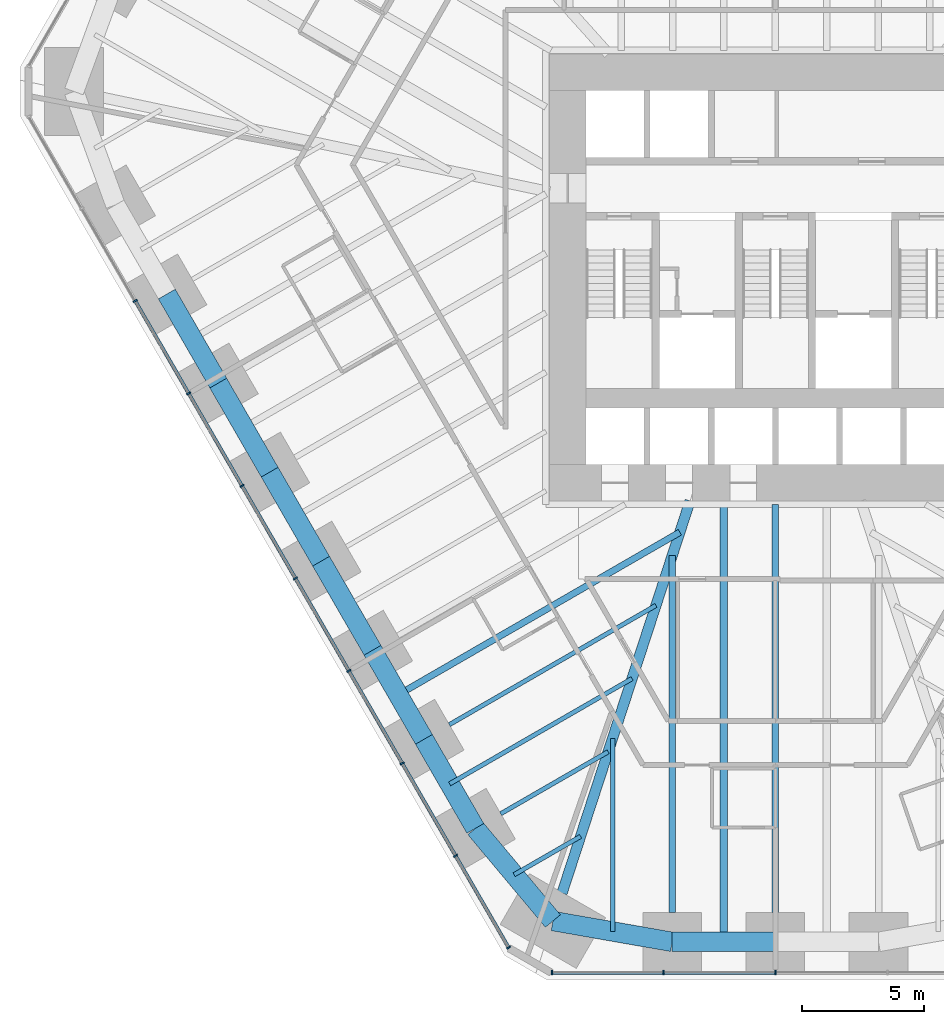
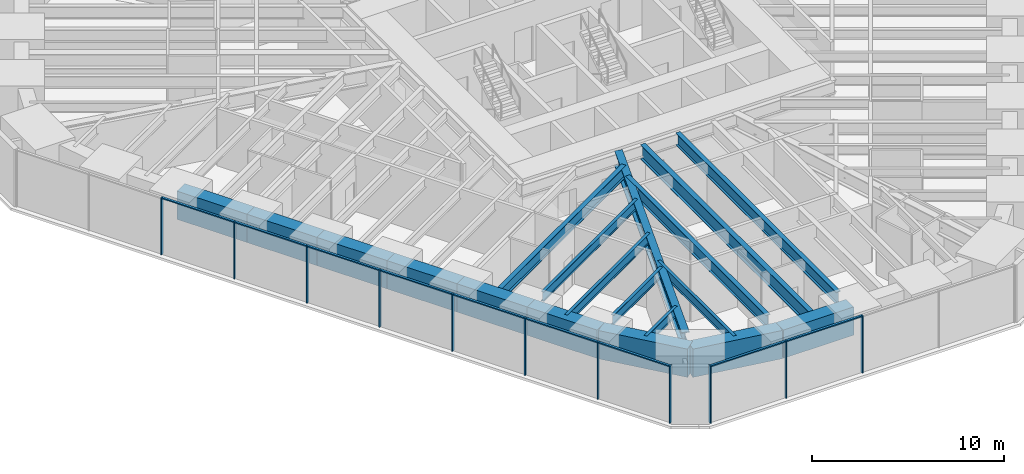
# One storey, part 2 of 17: 20 members, 19 beams, 2 elements without a shape of their own.
"""IFC4 building model written with IfcOpenShell, lengths in metres."""

from ifc_helpers import new_model, si_unit, direction, frame, origin, origin_2d, place, context, subcontext, project, spatial, rectangle, i_section, extrude, material, material_profile, profile_set, type_object, element, aggregate, save


model = new_model("IFC4")

# Units and contexts
model_context = context("Model", 3, precision=1e-05, world=origin(), true_north=direction((0.0, 1.0)))
body_context = subcontext(model_context, "Body", "Model", "MODEL_VIEW")
ifc_project = project(units=[si_unit("LENGTHUNIT", "METRE"), si_unit("AREAUNIT", "SQUARE_METRE"), si_unit("VOLUMEUNIT", "CUBIC_METRE"), si_unit("PLANEANGLEUNIT", "RADIAN"), si_unit("MASSUNIT", "GRAM", prefix="KILO")], contexts=[model_context])

# Site, building, storey
site_placement = place(None, origin())
site = spatial("IfcSite", under=ifc_project, at=site_placement, CompositionType="ELEMENT")
building_placement = place(site_placement, origin())
building = spatial("IfcBuilding", under=site, at=building_placement, Name="Sandreach Pilgrim Tower", CompositionType="ELEMENT")
storey_placement = place(building_placement, frame((0.0, 0.0, 42.0)))
storey = spatial("IfcBuildingStorey", under=building, at=storey_placement, Name="L09", CompositionType="ELEMENT", Elevation=42.0)

# Curtain wall, members
ifc_material_1 = material(Name="Aluminium framed curtain wall", Category="aluminium")
curtain_wall_type = type_object("IfcCurtainWallType", Name="Hostel tower curtain wall", PredefinedType="NOTDEFINED", material=ifc_material_1)
curtain_wall_1_placement = place(storey_placement, origin())
curtain_wall_1 = element("IfcCurtainWall", 1, at=curtain_wall_1_placement, inside=storey, type_object=curtain_wall_type, Name="CW-1 L09 S", PredefinedType="NOTDEFINED")
ifc_material_2 = material(Name="Aluminium extrusion", Category="aluminium")
ifc_material_profile_1 = material_profile(ifc_material_2, rectangle(XDim=0.06494140625, YDim=0.179931640625, at=origin_2d()), Name="CW-1M 65X180")
ifc_profile_set_1 = profile_set([ifc_material_profile_1], Name="Aluminium extrusion")
member_type_1 = type_object("IfcMemberType", Name="CW-1 mullion", PredefinedType="MULLION", material=ifc_profile_set_1)
member_1_placement = place(storey_placement, frame((0.0, -30.010986328125, 0.0), z_axis=(0.0, 0.0, 1.0), x_axis=(-1.0, 0.0, 0.0)))
member_1 = element("IfcMember", 2, at=member_1_placement, type_object=member_type_1, Name="CW-1 mullion 3", PredefinedType="MULLION", context=body_context, shape_type="SweptSolid", body=[
    extrude(rectangle(XDim=0.06494140625, YDim=0.179931640625, at=origin_2d()), origin(), (0.0, 0.0, 1.0), 3.639892578125),
])
member_2_placement = place(storey_placement, frame((-4.5859375, -30.010986328125, 0.0), z_axis=(0.0, 0.0, 1.0), x_axis=(-1.0, 0.0, 0.0)))
member_2 = element("IfcMember", 3, at=member_2_placement, type_object=member_type_1, Name="CW-1 mullion 4", PredefinedType="MULLION", context=body_context, shape_type="SweptSolid", body=[
    extrude(rectangle(XDim=0.06494140625, YDim=0.179931640625, at=origin_2d()), origin(), (0.0, 0.0, 1.0), 3.639892578125),
])
member_3_placement = place(storey_placement, frame((-9.1396484375, -30.010986328125, 0.0), z_axis=(0.0, 0.0, 1.0), x_axis=(-1.0, 0.0, 0.0)))
member_3 = element("IfcMember", 4, at=member_3_placement, type_object=member_type_1, Name="CW-1 mullion 5", PredefinedType="MULLION", context=body_context, shape_type="SweptSolid", body=[
    extrude(rectangle(XDim=0.06494140625, YDim=0.179931640625, at=origin_2d()), origin(), (0.0, 0.0, 1.0), 3.639892578125),
])

curtain_wall_2_placement = place(storey_placement, origin())
curtain_wall_2 = element("IfcCurtainWall", 5, at=curtain_wall_2_placement, inside=storey, type_object=curtain_wall_type, Name="CW-1 L09 SW", PredefinedType="NOTDEFINED")
member_4_placement = place(storey_placement, frame((-10.92041015625, -28.982666015625, 0.0), z_axis=(0.0, 0.0, 1.0), x_axis=(-0.5, 0.866025403784, 0.0)))
member_4 = element("IfcMember", 6, at=member_4_placement, type_object=member_type_1, Name="CW-1 mullion 1", PredefinedType="MULLION", context=body_context, shape_type="SweptSolid", body=[
    extrude(rectangle(XDim=0.06494140625, YDim=0.179931640625, at=origin_2d()), origin(), (0.0, 0.0, 1.0), 3.639892578125),
])
member_5_placement = place(storey_placement, frame((-13.08984375, -25.22509765625, 0.0), z_axis=(0.0, 0.0, 1.0), x_axis=(-0.5, 0.866025403784, 0.0)))
member_5 = element("IfcMember", 7, at=member_5_placement, type_object=member_type_1, Name="CW-1 mullion 2", PredefinedType="MULLION", context=body_context, shape_type="SweptSolid", body=[
    extrude(rectangle(XDim=0.06494140625, YDim=0.179931640625, at=origin_2d()), origin(), (0.0, 0.0, 1.0), 3.639892578125),
])
member_6_placement = place(storey_placement, frame((-15.275634765625, -21.439208984375, 0.0), z_axis=(0.0, 0.0, 1.0), x_axis=(-0.5, 0.866025403784, 0.0)))
member_6 = element("IfcMember", 8, at=member_6_placement, type_object=member_type_1, Name="CW-1 mullion 3", PredefinedType="MULLION", context=body_context, shape_type="SweptSolid", body=[
    extrude(rectangle(XDim=0.06494140625, YDim=0.179931640625, at=origin_2d()), origin(), (0.0, 0.0, 1.0), 3.639892578125),
])
member_7_placement = place(storey_placement, frame((-17.46142578125, -17.6533203125, 0.0), z_axis=(0.0, 0.0, 1.0), x_axis=(-0.5, 0.866025403784, 0.0)))
member_7 = element("IfcMember", 9, at=member_7_placement, type_object=member_type_1, Name="CW-1 mullion 4", PredefinedType="MULLION", context=body_context, shape_type="SweptSolid", body=[
    extrude(rectangle(XDim=0.06494140625, YDim=0.179931640625, at=origin_2d()), origin(), (0.0, 0.0, 1.0), 3.639892578125),
])
member_8_placement = place(storey_placement, frame((-19.647216796875, -13.8671875, 0.0), z_axis=(0.0, 0.0, 1.0), x_axis=(-0.5, 0.866025403784, 0.0)))
member_8 = element("IfcMember", 10, at=member_8_placement, type_object=member_type_1, Name="CW-1 mullion 5", PredefinedType="MULLION", context=body_context, shape_type="SweptSolid", body=[
    extrude(rectangle(XDim=0.06494140625, YDim=0.179931640625, at=origin_2d()), origin(), (0.0, 0.0, 1.0), 3.639892578125),
])
member_9_placement = place(storey_placement, frame((-21.8330078125, -10.081298828125, 0.0), z_axis=(0.0, 0.0, 1.0), x_axis=(-0.5, 0.866025403784, 0.0)))
member_9 = element("IfcMember", 11, at=member_9_placement, type_object=member_type_1, Name="CW-1 mullion 6", PredefinedType="MULLION", context=body_context, shape_type="SweptSolid", body=[
    extrude(rectangle(XDim=0.06494140625, YDim=0.179931640625, at=origin_2d()), origin(), (0.0, 0.0, 1.0), 3.639892578125),
])
member_10_placement = place(storey_placement, frame((-24.018798828125, -6.29541015625, 0.0), z_axis=(0.0, 0.0, 1.0), x_axis=(-0.5, 0.866025403784, 0.0)))
member_10 = element("IfcMember", 12, at=member_10_placement, type_object=member_type_1, Name="CW-1 mullion 7", PredefinedType="MULLION", context=body_context, shape_type="SweptSolid", body=[
    extrude(rectangle(XDim=0.06494140625, YDim=0.179931640625, at=origin_2d()), origin(), (0.0, 0.0, 1.0), 3.639892578125),
])
member_11_placement = place(storey_placement, frame((-26.20458984375, -2.509521484375, 0.0), z_axis=(0.0, 0.0, 1.0), x_axis=(-0.5, 0.866025403784, 0.0)))
member_11 = element("IfcMember", 13, at=member_11_placement, type_object=member_type_1, Name="CW-1 mullion 8", PredefinedType="MULLION", context=body_context, shape_type="SweptSolid", body=[
    extrude(rectangle(XDim=0.06494140625, YDim=0.179931640625, at=origin_2d()), origin(), (0.0, 0.0, 1.0), 3.639892578125),
])

# Member
ifc_material_3 = material(Name="Aluminium extrusion", Category="aluminium")
ifc_material_profile_2 = material_profile(ifc_material_3, rectangle(XDim=0.139892578125, YDim=0.070068359375, at=origin_2d()), Name="CW-1T 140X70")
ifc_profile_set_2 = profile_set([ifc_material_profile_2], Name="Aluminium extrusion")
member_type_2 = type_object("IfcMemberType", Name="CW-1 transom", PredefinedType="USERDEFINED", material=ifc_profile_set_2)
member_12_placement = place(storey_placement, frame((-0.032470703125, -30.010986328125, 3.60498046875), z_axis=(-1.0, 0.0, 0.0), x_axis=(0.0, -1.0, 0.0)))
member_12 = element("IfcMember", 14, at=member_12_placement, type_object=member_type_2, Name="CW-1 head transom 3", ObjectType="TRANSOM", PredefinedType="USERDEFINED", context=body_context, shape_type="SweptSolid", body=[
    extrude(rectangle(XDim=0.139892578125, YDim=0.070068359375, at=origin_2d()), origin(), (0.0, 0.0, 1.0), 4.52099609375),
])

member_13_placement = place(storey_placement, frame((-4.61865234375, -30.010986328125, 3.60498046875), z_axis=(-1.0, 0.0, 0.0), x_axis=(0.0, -1.0, 0.0)))
member_13 = element("IfcMember", 15, at=member_13_placement, type_object=member_type_2, Name="CW-1 head transom 4", ObjectType="TRANSOM", PredefinedType="USERDEFINED", context=body_context, shape_type="SweptSolid", body=[
    extrude(rectangle(XDim=0.139892578125, YDim=0.070068359375, at=origin_2d()), origin(), (0.0, 0.0, 1.0), 4.488525390625),
])

aggregate(curtain_wall_1, [member_1, member_2, member_3, member_12, member_13])

member_14_placement = place(storey_placement, frame((-10.9365234375, -28.95458984375, 3.60498046875), z_axis=(-0.500033953635, 0.866005799756, 0.0), x_axis=(-0.866005799756, -0.500033953635, 0.0)))
member_14 = element("IfcMember", 16, at=member_14_placement, type_object=member_type_2, Name="CW-1 head transom 1", ObjectType="TRANSOM", PredefinedType="USERDEFINED", context=body_context, shape_type="SweptSolid", body=[
    extrude(rectangle(XDim=0.139892578125, YDim=0.070068359375, at=origin_2d()), origin(), (0.0, 0.0, 1.0), 4.274169921875),
])

member_15_placement = place(storey_placement, frame((-13.106201171875, -25.19677734375, 3.60498046875), z_axis=(-0.500016891966, 0.866015650984, 0.0), x_axis=(-0.866015650984, -0.500016891966, 0.0)))
member_15 = element("IfcMember", 17, at=member_15_placement, type_object=member_type_2, Name="CW-1 head transom 2", ObjectType="TRANSOM", PredefinedType="USERDEFINED", context=body_context, shape_type="SweptSolid", body=[
    extrude(rectangle(XDim=0.139892578125, YDim=0.070068359375, at=origin_2d()), origin(), (0.0, 0.0, 1.0), 4.306396484375),
])

member_16_placement = place(storey_placement, frame((-15.2919921875, -21.410888671875, 3.60498046875), z_axis=(-0.500016891966, 0.866015650984, 0.0), x_axis=(-0.866015650984, -0.500016891966, 0.0)))
member_16 = element("IfcMember", 18, at=member_16_placement, type_object=member_type_2, Name="CW-1 head transom 3", ObjectType="TRANSOM", PredefinedType="USERDEFINED", context=body_context, shape_type="SweptSolid", body=[
    extrude(rectangle(XDim=0.139892578125, YDim=0.070068359375, at=origin_2d()), origin(), (0.0, 0.0, 1.0), 4.306396484375),
])

member_17_placement = place(storey_placement, frame((-17.477783203125, -17.625, 3.60498046875), z_axis=(-0.500016891966, 0.866015650984, 0.0), x_axis=(-0.866015650984, -0.500016891966, 0.0)))
member_17 = element("IfcMember", 19, at=member_17_placement, type_object=member_type_2, Name="CW-1 head transom 4", ObjectType="TRANSOM", PredefinedType="USERDEFINED", context=body_context, shape_type="SweptSolid", body=[
    extrude(rectangle(XDim=0.139892578125, YDim=0.070068359375, at=origin_2d()), origin(), (0.0, 0.0, 1.0), 4.306396484375),
])

member_18_placement = place(storey_placement, frame((-19.66357421875, -13.839111328125, 3.60498046875), z_axis=(-0.500016891966, 0.866015650984, 0.0), x_axis=(-0.866015650984, -0.500016891966, 0.0)))
member_18 = element("IfcMember", 20, at=member_18_placement, type_object=member_type_2, Name="CW-1 head transom 5", ObjectType="TRANSOM", PredefinedType="USERDEFINED", context=body_context, shape_type="SweptSolid", body=[
    extrude(rectangle(XDim=0.139892578125, YDim=0.070068359375, at=origin_2d()), origin(), (0.0, 0.0, 1.0), 4.306396484375),
])

member_19_placement = place(storey_placement, frame((-21.849365234375, -10.05322265625, 3.60498046875), z_axis=(-0.500016891966, 0.866015650984, 0.0), x_axis=(-0.866015650984, -0.500016891966, 0.0)))
member_19 = element("IfcMember", 21, at=member_19_placement, type_object=member_type_2, Name="CW-1 head transom 6", ObjectType="TRANSOM", PredefinedType="USERDEFINED", context=body_context, shape_type="SweptSolid", body=[
    extrude(rectangle(XDim=0.139892578125, YDim=0.070068359375, at=origin_2d()), origin(), (0.0, 0.0, 1.0), 4.306396484375),
])

member_20_placement = place(storey_placement, frame((-24.03515625, -6.267333984375, 3.60498046875), z_axis=(-0.500016891966, 0.866015650984, 0.0), x_axis=(-0.866015650984, -0.500016891966, 0.0)))
member_20 = element("IfcMember", 22, at=member_20_placement, type_object=member_type_2, Name="CW-1 head transom 7", ObjectType="TRANSOM", PredefinedType="USERDEFINED", context=body_context, shape_type="SweptSolid", body=[
    extrude(rectangle(XDim=0.139892578125, YDim=0.070068359375, at=origin_2d()), origin(), (0.0, 0.0, 1.0), 4.306396484375),
])

aggregate(curtain_wall_2, [member_4, member_5, member_6, member_7, member_8, member_9, member_10, member_11, member_14, member_15, member_16, member_17, member_18, member_19, member_20])

# Beams
ifc_material_4 = material(Name="Steel ASTM A992 Grade 50", Category="steel")
ifc_material_profile_3 = material_profile(ifc_material_4, i_section(OverallWidth=0.424072265625, OverallDepth=0.965087890625, WebThickness=0.028564453125, FlangeThickness=0.051025390625, at=origin_2d()), Name="W36X361")
ifc_profile_set_3 = profile_set([ifc_material_profile_3], Name="Steel ASTM A992 Grade 50")
beam_type_1 = type_object("IfcBeamType", Name="Corner girder W36X361", PredefinedType="BEAM", material=ifc_profile_set_3)
beam_1_placement = place(storey_placement, frame((-8.73388671875, -26.756103515625, 3.157470703125), z_axis=(0.310315410754, 0.950633654911, 0.0), x_axis=(-0.950633654911, 0.310315410754, 0.0)))
element("IfcBeam", 23, at=beam_1_placement, inside=storey, type_object=beam_type_1, Name="BM L09 CG26", PredefinedType="BEAM", context=body_context, shape_type="SweptSolid", body=[
    extrude(i_section(OverallWidth=0.424072265625, OverallDepth=0.965087890625, WebThickness=0.028564453125, FlangeThickness=0.051025390625, at=origin_2d()), origin(), (0.0, 0.0, 1.0), 16.889892578125),
])
ifc_material_5 = material(Name="Steel ASTM A992 Grade 50", Category="steel")
ifc_material_profile_4 = material_profile(ifc_material_5, i_section(OverallWidth=0.1787109375, OverallDepth=0.60205078125, WebThickness=0.010986328125, FlangeThickness=0.014892578125, at=origin_2d()), Name="W24X62")
ifc_profile_set_4 = profile_set([ifc_material_profile_4], Name="Steel ASTM A992 Grade 50")
beam_type_2 = type_object("IfcBeamType", Name="Floor beam W24X62", PredefinedType="BEAM", material=ifc_profile_set_4)
beam_2_placement = place(storey_placement, frame((-11.242431640625, -23.5048828125, 3.339111328125), z_axis=(0.866027897259, 0.49999568115, 0.0), x_axis=(-0.49999568115, 0.866027897259, 0.0)))
element("IfcBeam", 24, at=beam_2_placement, inside=storey, type_object=beam_type_2, Name="BM L09 F27", PredefinedType="BEAM", context=body_context, shape_type="SweptSolid", body=[
    extrude(i_section(OverallWidth=0.1787109375, OverallDepth=0.60205078125, WebThickness=0.010986328125, FlangeThickness=0.014892578125, at=origin_2d()), origin(), (0.0, 0.0, 1.0), 5.0791015625),
])
beam_3_placement = place(storey_placement, frame((-13.347412109375, -19.859130859375, 3.339111328125), z_axis=(0.866025751498, 0.499999397742, 0.0), x_axis=(-0.499999397742, 0.866025751498, 0.0)))
element("IfcBeam", 25, at=beam_3_placement, inside=storey, type_object=beam_type_2, Name="BM L09 F28", PredefinedType="BEAM", context=body_context, shape_type="SweptSolid", body=[
    extrude(i_section(OverallWidth=0.1787109375, OverallDepth=0.60205078125, WebThickness=0.010986328125, FlangeThickness=0.014892578125, at=origin_2d()), origin(), (0.0, 0.0, 1.0), 9.767578125),
])
beam_4_placement = place(storey_placement, frame((-6.664306640625, -28.323974609375, 3.339111328125), z_axis=(0.0, 1.0, 0.0), x_axis=(-1.0, 0.0, 0.0)))
element("IfcBeam", 26, at=beam_4_placement, inside=storey, type_object=beam_type_2, Name="BM L09 FM25", PredefinedType="BEAM", context=body_context, shape_type="SweptSolid", body=[
    extrude(i_section(OverallWidth=0.1787109375, OverallDepth=0.60205078125, WebThickness=0.010986328125, FlangeThickness=0.014892578125, at=origin_2d()), origin(), (0.0, 0.0, 1.0), 7.907958984375),
])
beam_5_placement = place(storey_placement, frame((-10.694091796875, -26.0009765625, 3.339111328125), z_axis=(0.866023718453, 0.500002919068, 0.0), x_axis=(-0.500002919068, 0.866023718453, 0.0)))
element("IfcBeam", 27, at=beam_5_placement, inside=storey, type_object=beam_type_2, Name="BM L09 FM26", PredefinedType="BEAM", context=body_context, shape_type="SweptSolid", body=[
    extrude(i_section(OverallWidth=0.1787109375, OverallDepth=0.60205078125, WebThickness=0.010986328125, FlangeThickness=0.014892578125, at=origin_2d()), origin(), (0.0, 0.0, 1.0), 3.1396484375),
])
beam_6_placement = place(storey_placement, frame((-13.334228515625, -22.281982421875, 3.339111328125), z_axis=(0.86602717807, 0.499996926835, 0.0), x_axis=(-0.499996926835, 0.86602717807, 0.0)))
element("IfcBeam", 28, at=beam_6_placement, inside=storey, type_object=beam_type_2, Name="BM L09 FM27", PredefinedType="BEAM", context=body_context, shape_type="SweptSolid", body=[
    extrude(i_section(OverallWidth=0.1787109375, OverallDepth=0.60205078125, WebThickness=0.010986328125, FlangeThickness=0.014892578125, at=origin_2d()), origin(), (0.0, 0.0, 1.0), 8.62353515625),
])
ifc_material_6 = material(Name="Steel ASTM A992 Grade 50", Category="steel")
ifc_material_profile_5 = material_profile(ifc_material_6, i_section(OverallWidth=0.2666015625, OverallDepth=0.761962890625, WebThickness=0.014404296875, FlangeThickness=0.021484375, at=origin_2d()), Name="W30X116")
ifc_profile_set_5 = profile_set([ifc_material_profile_5], Name="Steel ASTM A992 Grade 50")
beam_type_3 = type_object("IfcBeamType", Name="Floor beam W30X116", PredefinedType="BEAM", material=ifc_profile_set_5)
beam_7_placement = place(storey_placement, frame((-4.222412109375, -27.55078125, 3.259033203125), z_axis=(0.0, 1.0, 0.0), x_axis=(-1.0, 0.0, 0.0)))
element("IfcBeam", 29, at=beam_7_placement, inside=storey, type_object=beam_type_3, Name="BM L09 F25", PredefinedType="BEAM", context=body_context, shape_type="SweptSolid", body=[
    extrude(i_section(OverallWidth=0.2666015625, OverallDepth=0.761962890625, WebThickness=0.014404296875, FlangeThickness=0.021484375, at=origin_2d()), origin(), (0.0, 0.0, 1.0), 14.61572265625),
])
beam_8_placement = place(storey_placement, frame((-15.43896484375, -18.63623046875, 3.259033203125), z_axis=(0.866021271874, 0.50000715661, 0.0), x_axis=(-0.50000715661, 0.866021271874, 0.0)))
element("IfcBeam", 30, at=beam_8_placement, inside=storey, type_object=beam_type_3, Name="BM L09 FM28", PredefinedType="BEAM", context=body_context, shape_type="SweptSolid", body=[
    extrude(i_section(OverallWidth=0.2666015625, OverallDepth=0.761962890625, WebThickness=0.014404296875, FlangeThickness=0.021484375, at=origin_2d()), origin(), (0.0, 0.0, 1.0), 13.311767578125),
])
ifc_material_7 = material(Name="Steel ASTM A992 Grade 50", Category="steel")
ifc_material_profile_6 = material_profile(ifc_material_7, i_section(OverallWidth=0.2666015625, OverallDepth=0.77978515625, WebThickness=0.0166015625, FlangeThickness=0.030029296875, at=origin_2d()), Name="W30X148")
ifc_profile_set_6 = profile_set([ifc_material_profile_6], Name="Steel ASTM A992 Grade 50")
beam_type_4 = type_object("IfcBeamType", Name="Floor beam W30X148", PredefinedType="BEAM", material=ifc_profile_set_6)
beam_9_placement = place(storey_placement, frame((0.0, -27.55078125, 3.25), z_axis=(0.0, 1.0, 0.0), x_axis=(-1.0, 0.0, 0.0)))
element("IfcBeam", 31, at=beam_9_placement, inside=storey, type_object=beam_type_4, Name="BM L09 F24", PredefinedType="BEAM", context=body_context, shape_type="SweptSolid", body=[
    extrude(i_section(OverallWidth=0.2666015625, OverallDepth=0.77978515625, WebThickness=0.0166015625, FlangeThickness=0.030029296875, at=origin_2d()), origin(), (0.0, 0.0, 1.0), 16.70751953125),
])
ifc_material_8 = material(Name="Steel ASTM A992 Grade 50", Category="steel")
ifc_material_profile_7 = material_profile(ifc_material_8, i_section(OverallWidth=0.3046875, OverallDepth=0.914306640625, WebThickness=0.0166015625, FlangeThickness=0.02587890625, at=origin_2d()), Name="W36X160")
ifc_profile_set_7 = profile_set([ifc_material_profile_7], Name="Steel ASTM A992 Grade 50")
beam_type_5 = type_object("IfcBeamType", Name="Floor beam W36X160", PredefinedType="BEAM", material=ifc_profile_set_7)
beam_10_placement = place(storey_placement, frame((-2.111083984375, -28.7509765625, 3.182861328125), z_axis=(0.0, 1.0, 0.0), x_axis=(-1.0, 0.0, 0.0)))
element("IfcBeam", 32, at=beam_10_placement, inside=storey, type_object=beam_type_5, Name="BM L09 FM24", PredefinedType="BEAM", context=body_context, shape_type="SweptSolid", body=[
    extrude(i_section(OverallWidth=0.3046875, OverallDepth=0.914306640625, WebThickness=0.0166015625, FlangeThickness=0.02587890625, at=origin_2d()), origin(), (0.0, 0.0, 1.0), 17.90771484375),
])
ifc_material_9 = material(Name="Concrete 10000 psi", Category="concrete")
ifc_material_profile_8 = material_profile(ifc_material_9, rectangle(XDim=0.800048828125, YDim=1.800048828125, at=origin_2d()), Name="RC800X1800")
ifc_profile_set_8 = profile_set([ifc_material_profile_8], Name="Concrete 10000 psi")
beam_type_6 = type_object("IfcBeamType", Name="Spandrel beam RC800X1800", PredefinedType="SPANDREL", material=ifc_profile_set_8)
beam_11_placement = place(storey_placement, frame((0.0, -28.7509765625, 2.739990234375), z_axis=(-1.0, 0.0, 0.0), x_axis=(0.0, -1.0, 0.0)))
element("IfcBeam", 33, at=beam_11_placement, inside=storey, type_object=beam_type_6, Name="BM L09 SP24", PredefinedType="SPANDREL", context=body_context, shape_type="SweptSolid", body=[
    extrude(rectangle(XDim=0.800048828125, YDim=1.800048828125, at=origin_2d()), origin(), (0.0, 0.0, 1.0), 4.222412109375),
])
beam_12_placement = place(storey_placement, frame((-4.222412109375, -28.7509765625, 2.739990234375), z_axis=(-0.985054495501, 0.17224297052, 0.0), x_axis=(-0.17224297052, -0.985054495501, 0.0)))
element("IfcBeam", 34, at=beam_12_placement, inside=storey, type_object=beam_type_6, Name="BM L09 SP25", PredefinedType="SPANDREL", context=body_context, shape_type="SweptSolid", body=[
    extrude(rectangle(XDim=0.800048828125, YDim=1.800048828125, at=origin_2d()), origin(), (0.0, 0.0, 1.0), 4.958251953125),
])
beam_13_placement = place(storey_placement, frame((-9.1064453125, -27.89697265625, 2.739990234375), z_axis=(-0.642008193922, 0.766697775488, 0.0), x_axis=(-0.766697775488, -0.642008193922, 0.0)))
element("IfcBeam", 35, at=beam_13_placement, inside=storey, type_object=beam_type_6, Name="BM L09 SP26", PredefinedType="SPANDREL", context=body_context, shape_type="SweptSolid", body=[
    extrude(rectangle(XDim=0.800048828125, YDim=1.800048828125, at=origin_2d()), origin(), (0.0, 0.0, 1.0), 4.94580078125),
])
beam_14_placement = place(storey_placement, frame((-12.28173828125, -24.10498046875, 2.739990234375), z_axis=(-0.499993523031, 0.866029143232, 0.0), x_axis=(-0.866029143232, -0.499993523031, 0.0)))
element("IfcBeam", 36, at=beam_14_placement, inside=storey, type_object=beam_type_6, Name="BM L09 SP27", PredefinedType="SPANDREL", context=body_context, shape_type="SweptSolid", body=[
    extrude(rectangle(XDim=0.800048828125, YDim=1.800048828125, at=origin_2d()), origin(), (0.0, 0.0, 1.0), 4.2099609375),
])
beam_15_placement = place(storey_placement, frame((-14.38671875, -20.458984375, 2.739990234375), z_axis=(-0.499975138639, 0.866039757022, 0.0), x_axis=(-0.866039757022, -0.499975138639, 0.0)))
element("IfcBeam", 37, at=beam_15_placement, inside=storey, type_object=beam_type_6, Name="BM L09 SP28", PredefinedType="SPANDREL", context=body_context, shape_type="SweptSolid", body=[
    extrude(rectangle(XDim=0.800048828125, YDim=1.800048828125, at=origin_2d()), origin(), (0.0, 0.0, 1.0), 4.209716796875),
])
beam_16_placement = place(storey_placement, frame((-16.491455078125, -16.813232421875, 2.739990234375), z_axis=(-0.499993523031, 0.866029143232, 0.0), x_axis=(-0.866029143232, -0.499993523031, 0.0)))
element("IfcBeam", 38, at=beam_16_placement, inside=storey, type_object=beam_type_6, Name="BM L09 SP29", PredefinedType="SPANDREL", context=body_context, shape_type="SweptSolid", body=[
    extrude(rectangle(XDim=0.800048828125, YDim=1.800048828125, at=origin_2d()), origin(), (0.0, 0.0, 1.0), 4.2099609375),
])
beam_17_placement = place(storey_placement, frame((-18.596435546875, -13.167236328125, 2.739990234375), z_axis=(-0.50001863446, 0.866014644907, 0.0), x_axis=(-0.866014644907, -0.50001863446, 0.0)))
element("IfcBeam", 39, at=beam_17_placement, inside=storey, type_object=beam_type_6, Name="BM L09 SP30", PredefinedType="SPANDREL", context=body_context, shape_type="SweptSolid", body=[
    extrude(rectangle(XDim=0.800048828125, YDim=1.800048828125, at=origin_2d()), origin(), (0.0, 0.0, 1.0), 4.209716796875),
])
beam_18_placement = place(storey_placement, frame((-20.701416015625, -9.521484375, 2.739990234375), z_axis=(-0.499993523031, 0.866029143232, 0.0), x_axis=(-0.866029143232, -0.499993523031, 0.0)))
element("IfcBeam", 40, at=beam_18_placement, inside=storey, type_object=beam_type_6, Name="BM L09 SP31", PredefinedType="SPANDREL", context=body_context, shape_type="SweptSolid", body=[
    extrude(rectangle(XDim=0.800048828125, YDim=1.800048828125, at=origin_2d()), origin(), (0.0, 0.0, 1.0), 4.2099609375),
])
beam_19_placement = place(storey_placement, frame((-22.806396484375, -5.87548828125, 2.739990234375), z_axis=(-0.50001863446, 0.866014644907, 0.0), x_axis=(-0.866014644907, -0.50001863446, 0.0)))
element("IfcBeam", 41, at=beam_19_placement, inside=storey, type_object=beam_type_6, Name="BM L09 SP32", PredefinedType="SPANDREL", context=body_context, shape_type="SweptSolid", body=[
    extrude(rectangle(XDim=0.800048828125, YDim=1.800048828125, at=origin_2d()), origin(), (0.0, 0.0, 1.0), 4.209716796875),
])

save(model, "model.ifc")
